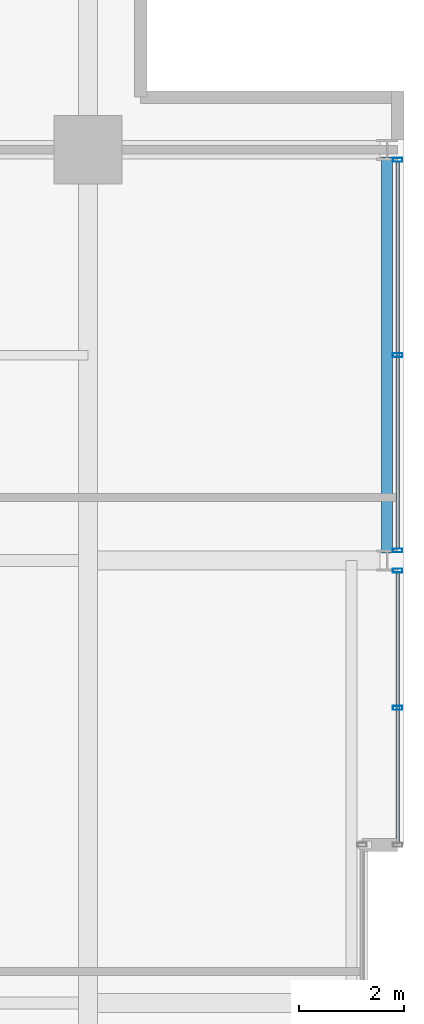
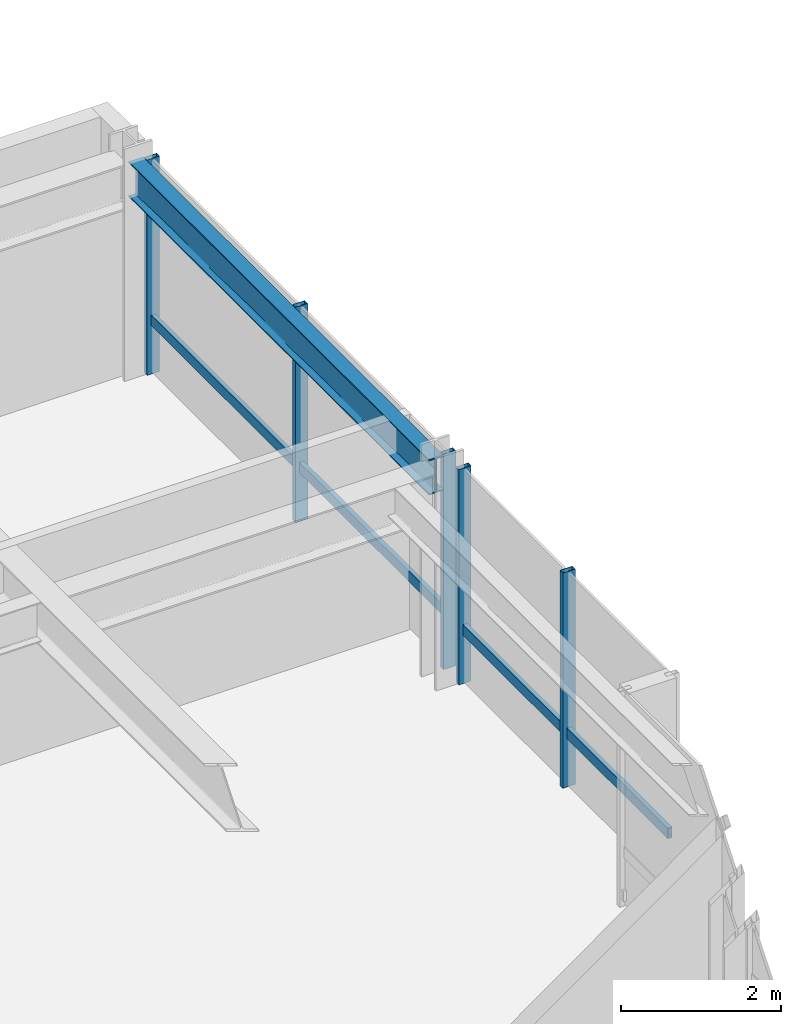
# One storey, part 22 of 32: 7 members, 1 beam, 2 elements without a shape of their own.
"""IFC4 building model written with IfcOpenShell, lengths in metres."""

from ifc_helpers import new_model, si_unit, direction, frame, origin, origin_2d, place, context, subcontext, project, spatial, hollow_rectangle, i_section, extrude, material, layer, layer_set, material_profile, profile_set, type_object, element, aggregate, save


model = new_model("IFC4")

# Units and contexts
model_context = context("Model", 3, precision=1e-05, world=origin(), true_north=direction((0.0, 1.0)))
body_context = subcontext(model_context, "Body", "Model", "MODEL_VIEW")
ifc_project = project(units=[si_unit("LENGTHUNIT", "METRE"), si_unit("AREAUNIT", "SQUARE_METRE"), si_unit("VOLUMEUNIT", "CUBIC_METRE"), si_unit("PLANEANGLEUNIT", "RADIAN"), si_unit("MASSUNIT", "GRAM", prefix="KILO")], contexts=[model_context])

# Site, building, storey
site_placement = place(None, origin())
site = spatial("IfcSite", under=ifc_project, at=site_placement, CompositionType="ELEMENT")
building_placement = place(site_placement, origin())
building = spatial("IfcBuilding", under=site, at=building_placement, Name="Drelvath Grand Hotel", CompositionType="ELEMENT")
storey_placement = place(building_placement, frame((0.0, 0.0, 189.449951171875)))
storey = spatial("IfcBuildingStorey", under=building, at=storey_placement, Name="L49", CompositionType="ELEMENT", Elevation=189.449951171875)

# Curtain wall, member
ifc_material_1 = material(Name="Brushed Pale-Silver Anodised Aluminium Frame", Category="aluminium")
ifc_layer = layer(ifc_material_1, 0.199951171875)
ifc_layer_set = layer_set([ifc_layer], Name="Brushed Pale-Silver Anodised Aluminium Frame")
curtain_wall_type = type_object("IfcCurtainWallType", Name="Stick Curtain Wall CW-04 Brushed Silver Upper-Mid", PredefinedType="NOTDEFINED", material=ifc_layer_set)
curtain_wall_1_placement = place(storey_placement, origin())
curtain_wall_1 = element("IfcCurtainWall", 1, at=curtain_wall_1_placement, inside=storey, type_object=curtain_wall_type, Name="L49 CW-04 Curtain Wall CW04-L49-EN1", PredefinedType="NOTDEFINED")
ifc_material_profile_1 = material_profile(ifc_material_1, hollow_rectangle(XDim=0.06494140625, YDim=0.159912109375, WallThickness=0.00390625, at=origin_2d()), Name="HSS160X65X4")
ifc_profile_set_1 = profile_set([ifc_material_profile_1], Name="Brushed Pale-Silver Anodised Aluminium Frame")
member_type_1 = type_object("IfcMemberType", Name="Curtain Wall Horizontal Transom CW-04 HSS160X65X4", PredefinedType="USERDEFINED", material=ifc_profile_set_1)
member_1_placement = place(storey_placement, frame((22.080078125, 35.16845703125, 0.822509765625), z_axis=(0.0, -1.0, 0.0), x_axis=(1.0, 0.0, 0.0)))
member_1 = element("IfcMember", 2, at=member_1_placement, type_object=member_type_1, Name="CW04-L49-EN1 Sill Transom", ObjectType="TRANSOM", PredefinedType="USERDEFINED", context=body_context, shape_type="SweptSolid", body=[
    extrude(hollow_rectangle(XDim=0.06494140625, YDim=0.159912109375, WallThickness=0.00390625, at=origin_2d()), origin(), (0.0, 0.0, 1.0), 5.12841796875),
])

curtain_wall_2_placement = place(storey_placement, origin())
curtain_wall_2 = element("IfcCurtainWall", 3, at=curtain_wall_2_placement, inside=storey, type_object=curtain_wall_type, Name="L49 CW-04 Curtain Wall CW04-L49-EN2", PredefinedType="NOTDEFINED")
member_2_placement = place(storey_placement, frame((22.080078125, 42.968505859375, 0.822509765625), z_axis=(0.0, -1.0, 0.0), x_axis=(1.0, 0.0, 0.0)))
member_2 = element("IfcMember", 4, at=member_2_placement, type_object=member_type_1, Name="CW04-L49-EN2 Sill Transom", ObjectType="TRANSOM", PredefinedType="USERDEFINED", context=body_context, shape_type="SweptSolid", body=[
    extrude(hollow_rectangle(XDim=0.06494140625, YDim=0.159912109375, WallThickness=0.00390625, at=origin_2d()), origin(), (0.0, 0.0, 1.0), 7.3369140625),
])

# Member
ifc_material_profile_2 = material_profile(ifc_material_1, hollow_rectangle(XDim=0.074951171875, YDim=0.179931640625, WallThickness=0.0048828125, at=origin_2d()), Name="HSS180X75X5")
ifc_profile_set_2 = profile_set([ifc_material_profile_2], Name="Brushed Pale-Silver Anodised Aluminium Frame")
member_type_2 = type_object("IfcMemberType", Name="Curtain Wall Vertical Mullion CW-04 HSS180X75X5", PredefinedType="MULLION", material=ifc_profile_set_2)
member_3_placement = place(storey_placement, frame((22.080078125, 35.20849609375, 0.0), z_axis=(0.0, 0.0, 1.0), x_axis=(0.0, 1.0, 0.0)))
member_3 = element("IfcMember", 5, at=member_3_placement, type_object=member_type_2, Name="CW04-L49-EN1 Mullion 1", PredefinedType="MULLION", context=body_context, shape_type="SweptSolid", body=[
    extrude(hollow_rectangle(XDim=0.074951171875, YDim=0.179931640625, WallThickness=0.0048828125, at=origin_2d()), origin(), (0.0, 0.0, 1.0), 3.2900390625),
])

member_4_placement = place(storey_placement, frame((22.080078125, 32.604248046875, 0.0), z_axis=(0.0, 0.0, 1.0), x_axis=(0.0, 1.0, 0.0)))
member_4 = element("IfcMember", 6, at=member_4_placement, type_object=member_type_2, Name="CW04-L49-EN1 Mullion 2", PredefinedType="MULLION", context=body_context, shape_type="SweptSolid", body=[
    extrude(hollow_rectangle(XDim=0.074951171875, YDim=0.179931640625, WallThickness=0.0048828125, at=origin_2d()), origin(), (0.0, 0.0, 1.0), 3.2900390625),
])

aggregate(curtain_wall_1, [member_3, member_4, member_1])

member_5_placement = place(storey_placement, frame((22.080078125, 43.00830078125, 0.0), z_axis=(0.0, 0.0, 1.0), x_axis=(0.0, 1.0, 0.0)))
member_5 = element("IfcMember", 7, at=member_5_placement, type_object=member_type_2, Name="CW04-L49-EN2 Mullion 1", PredefinedType="MULLION", context=body_context, shape_type="SweptSolid", body=[
    extrude(hollow_rectangle(XDim=0.074951171875, YDim=0.179931640625, WallThickness=0.0048828125, at=origin_2d()), origin(), (0.0, 0.0, 1.0), 3.2900390625),
])

member_6_placement = place(storey_placement, frame((22.080078125, 39.300048828125, 0.0), z_axis=(0.0, 0.0, 1.0), x_axis=(0.0, 1.0, 0.0)))
member_6 = element("IfcMember", 8, at=member_6_placement, type_object=member_type_2, Name="CW04-L49-EN2 Mullion 2", PredefinedType="MULLION", context=body_context, shape_type="SweptSolid", body=[
    extrude(hollow_rectangle(XDim=0.074951171875, YDim=0.179931640625, WallThickness=0.0048828125, at=origin_2d()), origin(), (0.0, 0.0, 1.0), 3.2900390625),
])

member_7_placement = place(storey_placement, frame((22.080078125, 35.591552734375, 0.0), z_axis=(0.0, 0.0, 1.0), x_axis=(0.0, 1.0, 0.0)))
member_7 = element("IfcMember", 9, at=member_7_placement, type_object=member_type_2, Name="CW04-L49-EN2 Mullion 3", PredefinedType="MULLION", context=body_context, shape_type="SweptSolid", body=[
    extrude(hollow_rectangle(XDim=0.074951171875, YDim=0.179931640625, WallThickness=0.0048828125, at=origin_2d()), origin(), (0.0, 0.0, 1.0), 3.2900390625),
])

aggregate(curtain_wall_2, [member_5, member_6, member_7, member_2])

# Beam
ifc_material_2 = material(Name="Steel ASTM A992 Gr 50", Category="steel")
ifc_material_profile_3 = material_profile(ifc_material_2, i_section(OverallWidth=0.210205078125, OverallDepth=0.53662109375, WebThickness=0.010986328125, FlangeThickness=0.017333984375, FilletRadius=0.01806640625, at=origin_2d()), Name="W21X68")
ifc_profile_set_3 = profile_set([ifc_material_profile_3], Name="Steel ASTM A992 Gr 50")
beam_type = type_object("IfcBeamType", Name="Perimeter Spandrel Beam W21X68", PredefinedType="SPANDREL", material=ifc_profile_set_3)
beam_placement = place(storey_placement, frame((21.8798828125, 35.5400390625, 3.021728515625), z_axis=(0.0, 1.0, 0.0), x_axis=(-1.0, 0.0, 0.0)))
element("IfcBeam", 10, at=beam_placement, inside=storey, type_object=beam_type, Name="L49 Spandrel East N", PredefinedType="SPANDREL", context=body_context, shape_type="SweptSolid", body=[
    extrude(i_section(OverallWidth=0.210205078125, OverallDepth=0.53662109375, WebThickness=0.010986328125, FlangeThickness=0.017333984375, FilletRadius=0.01806640625, at=origin_2d()), origin(), (0.0, 0.0, 1.0), 7.52001953125),
])

save(model, "model.ifc")
